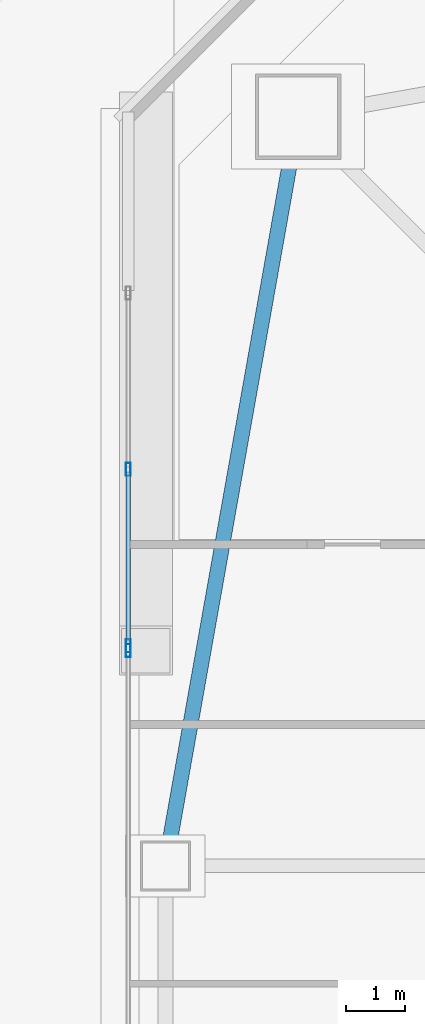
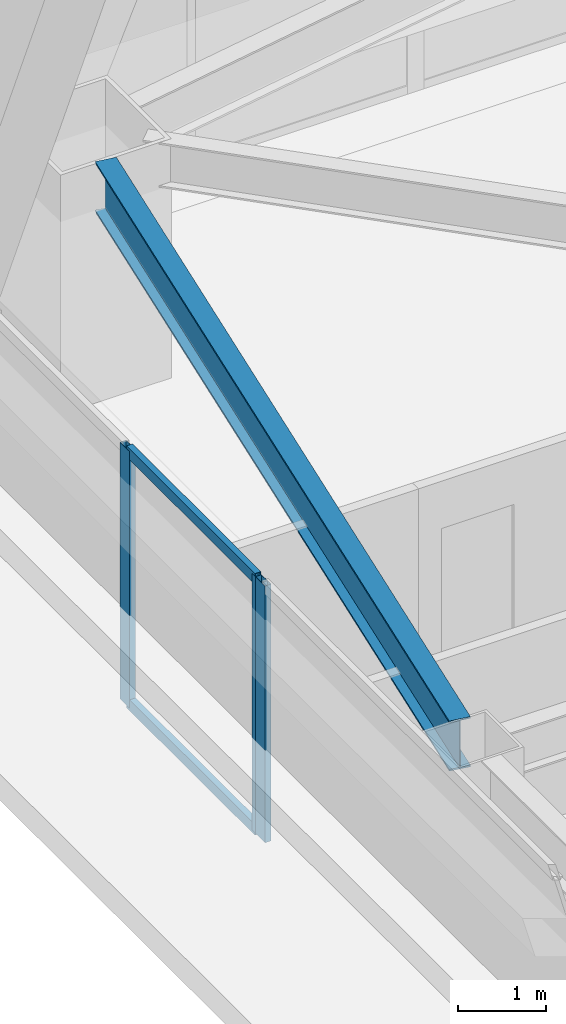
# One storey, part 19 of 67: 5 members, 1 beam, 2 elements without a shape of their own.
"""IFC4 building model written with IfcOpenShell, lengths in metres."""

from ifc_helpers import new_model, si_unit, direction, frame, origin, origin_2d, place, context, subcontext, project, spatial, hollow_rectangle, i_section, extrude, material, material_profile, profile_set, type_object, element, aggregate, save


model = new_model("IFC4")

# Units and contexts
model_context = context("Model", 3, precision=1e-05, world=origin(), true_north=direction((0.0, 1.0)))
body_context = subcontext(model_context, "Body", "Model", "MODEL_VIEW")
ifc_project = project(units=[si_unit("LENGTHUNIT", "METRE"), si_unit("AREAUNIT", "SQUARE_METRE"), si_unit("VOLUMEUNIT", "CUBIC_METRE"), si_unit("PLANEANGLEUNIT", "RADIAN"), si_unit("MASSUNIT", "GRAM", prefix="KILO")], contexts=[model_context])

# Site, building, storey
site_placement = place(None, origin())
site = spatial("IfcSite", under=ifc_project, at=site_placement, CompositionType="ELEMENT")
building_placement = place(site_placement, origin())
building = spatial("IfcBuilding", under=site, at=building_placement, Name="Tashvorn Skyway Center", CompositionType="ELEMENT")
storey_placement = place(building_placement, frame((0.0, 0.0, 67.199951171875)))
storey = spatial("IfcBuildingStorey", under=building, at=storey_placement, Name="L17", CompositionType="ELEMENT", Elevation=67.199951171875)

# Beam
ifc_material_1 = material(Name="Steel ASTM A992 Grade 50", Category="steel")
ifc_material_profile_1 = material_profile(ifc_material_1, i_section(OverallWidth=0.256103515625, OverallDepth=0.693115234375, WebThickness=0.014404296875, FlangeThickness=0.023681640625, at=origin_2d()), Name="W27X114")
ifc_profile_set_1 = profile_set([ifc_material_profile_1], Name="Steel ASTM A992 Grade 50")
beam_type = type_object("IfcBeamType", Name="BM-SPANDREL-W27X114", PredefinedType="SPANDREL", material=ifc_profile_set_1)
beam_placement = place(storey_placement, frame((23.7744140625, 49.39111328125, 3.003662109375), z_axis=(-0.174437966698, -0.98466816531, 0.0), x_axis=(0.98466816531, -0.174437966698, 0.0)))
element("IfcBeam", 1, at=beam_placement, inside=storey, type_object=beam_type, Name="Tower 1 L17 Spandrel Beam 10", PredefinedType="SPANDREL", context=body_context, shape_type="SweptSolid", body=[
    extrude(i_section(OverallWidth=0.256103515625, OverallDepth=0.693115234375, WebThickness=0.014404296875, FlangeThickness=0.023681640625, at=origin_2d()), origin(), (0.0, 0.0, 1.0), 11.7578125),
])

# Curtain wall, member
ifc_material_2 = material(Name="Thermally broken bronze-anodized aluminium 6063-T6", Category="aluminium")
curtain_wall_type = type_object("IfcCurtainWallType", Name="CW-CW-Z2", PredefinedType="NOTDEFINED", material=ifc_material_2)
curtain_wall_1_placement = place(storey_placement, origin())
curtain_wall_1 = element("IfcCurtainWall", 2, at=curtain_wall_1_placement, inside=storey, type_object=curtain_wall_type, Name="Tower 1 L17 West Unitised Curtain Wall Glazing Group 2", PredefinedType="NOTDEFINED")
ifc_material_profile_2 = material_profile(ifc_material_2, hollow_rectangle(XDim=0.080078125, YDim=0.219970703125, WallThickness=0.0048828125, at=origin_2d()), Name="ALU-MULL-80x220")
ifc_profile_set_2 = profile_set([ifc_material_profile_2], Name="Thermally broken bronze-anodized aluminium 6063-T6")
member_type_1 = type_object("IfcMemberType", Name="CWM-CW-Z2", PredefinedType="MULLION", material=ifc_profile_set_2)
member_1_placement = place(storey_placement, frame((21.02001953125, 41.050048828125, 0.0), z_axis=(0.0, 0.0, 1.0), x_axis=(-1.0, 0.0, 0.0)))
member_1 = element("IfcMember", 3, at=member_1_placement, type_object=member_type_1, Name="CW-Z2 mullion 3", PredefinedType="MULLION", context=body_context, shape_type="SweptSolid", body=[
    extrude(hollow_rectangle(XDim=0.080078125, YDim=0.219970703125, WallThickness=0.0048828125, at=origin_2d()), origin(), (0.0, 0.0, 1.0), 3.550048828125),
])
aggregate(curtain_wall_1, [member_1])

# Curtain wall, members
curtain_wall_2_placement = place(storey_placement, origin())
curtain_wall_2 = element("IfcCurtainWall", 4, at=curtain_wall_2_placement, inside=storey, type_object=curtain_wall_type, Name="Tower 1 L17 West Unitised Curtain Wall Glazing Group 3", PredefinedType="NOTDEFINED")
member_2_placement = place(storey_placement, frame((21.02001953125, 41.1298828125, 0.0), z_axis=(0.0, 0.0, 1.0), x_axis=(-1.0, 0.0, 0.0)))
member_2 = element("IfcMember", 5, at=member_2_placement, type_object=member_type_1, Name="CW-Z2 mullion 1", PredefinedType="MULLION", context=body_context, shape_type="SweptSolid", body=[
    extrude(hollow_rectangle(XDim=0.080078125, YDim=0.219970703125, WallThickness=0.0048828125, at=origin_2d()), origin(), (0.0, 0.0, 1.0), 3.550048828125),
])
member_3_placement = place(storey_placement, frame((21.02001953125, 44.1201171875, 0.0), z_axis=(0.0, 0.0, 1.0), x_axis=(-1.0, 0.0, 0.0)))
member_3 = element("IfcMember", 6, at=member_3_placement, type_object=member_type_1, Name="CW-Z2 mullion 2", PredefinedType="MULLION", context=body_context, shape_type="SweptSolid", body=[
    extrude(hollow_rectangle(XDim=0.080078125, YDim=0.219970703125, WallThickness=0.0048828125, at=origin_2d()), origin(), (0.0, 0.0, 1.0), 3.550048828125),
])
ifc_material_profile_3 = material_profile(ifc_material_2, hollow_rectangle(XDim=0.080078125, YDim=0.14990234375, WallThickness=0.00439453125, at=origin_2d()), Name="ALU-TRAN-80x150")
ifc_profile_set_3 = profile_set([ifc_material_profile_3], Name="Thermally broken bronze-anodized aluminium 6063-T6")
member_type_2 = type_object("IfcMemberType", Name="CWT-CW-Z2", PredefinedType="USERDEFINED", material=ifc_profile_set_3)
member_4_placement = place(storey_placement, frame((21.02001953125, 41.169921875, 0.0400390625), z_axis=(0.0, 1.0, 0.0), x_axis=(-1.0, 0.0, 0.0)))
member_4 = element("IfcMember", 7, at=member_4_placement, type_object=member_type_2, Name="CW-Z2 transom 1.1", ObjectType="TRANSOM", PredefinedType="USERDEFINED", context=body_context, shape_type="SweptSolid", body=[
    extrude(hollow_rectangle(XDim=0.080078125, YDim=0.14990234375, WallThickness=0.00439453125, at=origin_2d()), origin(), (0.0, 0.0, 1.0), 2.91015625),
])
member_5_placement = place(storey_placement, frame((21.02001953125, 41.169921875, 3.510009765625), z_axis=(0.0, 1.0, 0.0), x_axis=(-1.0, 0.0, 0.0)))
member_5 = element("IfcMember", 8, at=member_5_placement, type_object=member_type_2, Name="CW-Z2 transom 1.2", ObjectType="TRANSOM", PredefinedType="USERDEFINED", context=body_context, shape_type="SweptSolid", body=[
    extrude(hollow_rectangle(XDim=0.080078125, YDim=0.14990234375, WallThickness=0.00439453125, at=origin_2d()), origin(), (0.0, 0.0, 1.0), 2.91015625),
])
aggregate(curtain_wall_2, [member_2, member_3, member_4, member_5])

save(model, "model.ifc")
